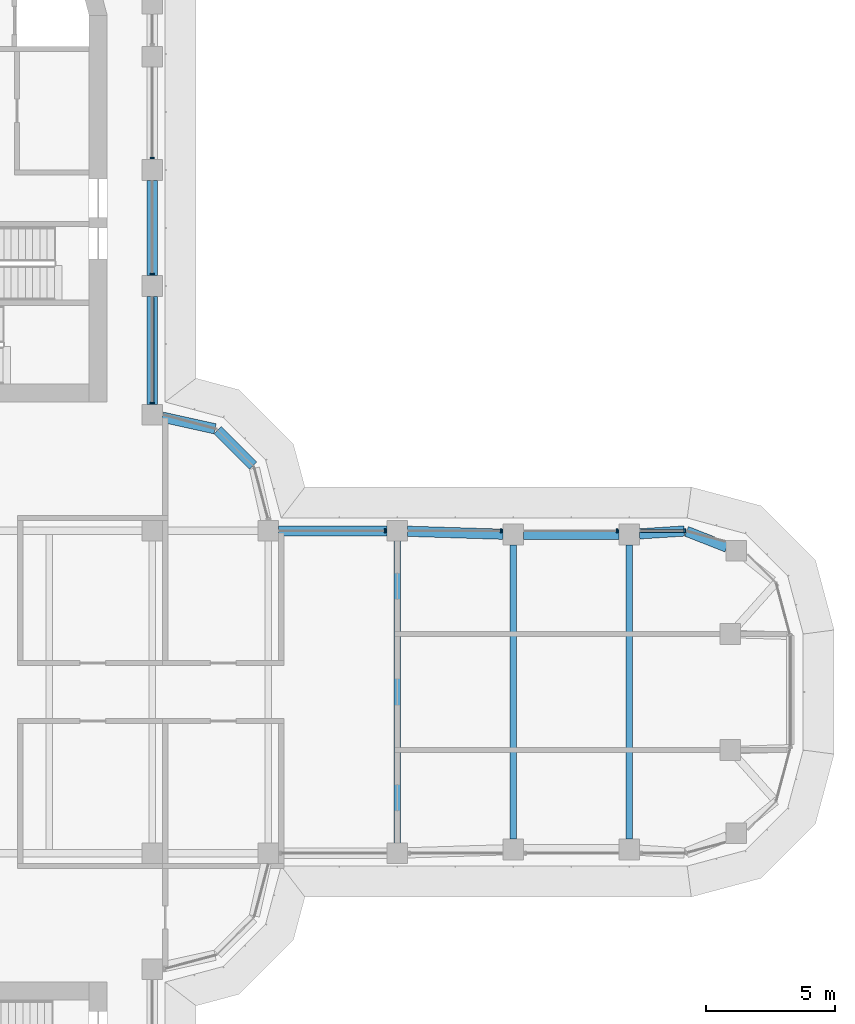
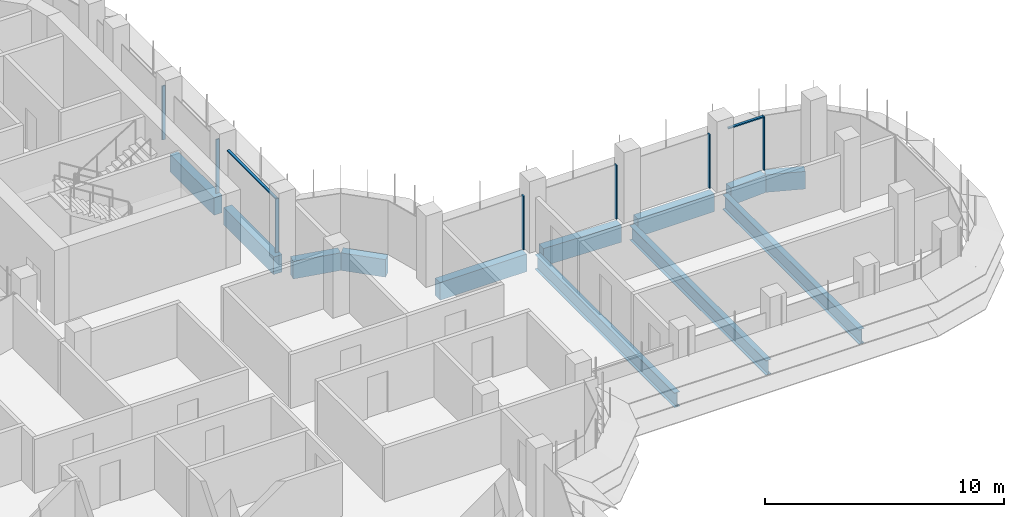
# One storey, part 8 of 19: 12 beams, 9 members, 2 elements without a shape of their own.
"""IFC4 building model written with IfcOpenShell, lengths in metres."""

from ifc_helpers import new_model, si_unit, direction, frame, origin, origin_2d, place, context, subcontext, project, spatial, polyline, rectangle, i_section, outline, extrude, source, transform, mapped, material, material_profile, profile_set, type_object, element, aggregate, save


model = new_model("IFC4")

# Units and contexts
model_context = context("Model", 3, precision=1e-05, world=origin(), true_north=direction((0.0, 1.0)))
body_context = subcontext(model_context, "Body", "Model", "MODEL_VIEW")
ifc_project = project(units=[si_unit("LENGTHUNIT", "METRE"), si_unit("AREAUNIT", "SQUARE_METRE"), si_unit("VOLUMEUNIT", "CUBIC_METRE"), si_unit("PLANEANGLEUNIT", "RADIAN"), si_unit("MASSUNIT", "GRAM", prefix="KILO")], contexts=[model_context])

# Site, building, storey
site_placement = place(None, origin())
site = spatial("IfcSite", under=ifc_project, at=site_placement, CompositionType="ELEMENT")
building_placement = place(site_placement, origin())
building = spatial("IfcBuilding", under=site, at=building_placement, Name="Zarbagh Exchange Tower", CompositionType="ELEMENT")
storey_placement = place(building_placement, frame((0.0, 0.0, 171.39990234375)))
storey = spatial("IfcBuildingStorey", under=building, at=storey_placement, Name="L41", CompositionType="ELEMENT", Elevation=171.39990234375)

# Beams
ifc_material_1 = material(Name="Steel ASTM A992 Gr 50", Category="steel")
ifc_material_profile_1 = material_profile(ifc_material_1, i_section(OverallWidth=0.26416015625, OverallDepth=0.749267578125, WebThickness=0.011962890625, FlangeThickness=0.015380859375, at=origin_2d()), Name="W30X90")
ifc_profile_set_1 = profile_set([ifc_material_profile_1], Name="Steel ASTM A992 Gr 50")
beam_type_1 = type_object("IfcBeamType", Name="Floor beam W30X90", PredefinedType="BEAM", material=ifc_profile_set_1)
beam_1_placement = place(storey_placement, frame((15.75, -5.85009765625, -0.5244140625), z_axis=(0.0, 1.0, 0.0), x_axis=(-1.0, 0.0, 0.0)))
element("IfcBeam", 1, at=beam_1_placement, inside=storey, type_object=beam_type_1, Name="Steel floor beam", PredefinedType="BEAM", context=body_context, shape_type="SweptSolid", body=[
    extrude(i_section(OverallWidth=0.26416015625, OverallDepth=0.749267578125, WebThickness=0.011962890625, FlangeThickness=0.015380859375, at=origin_2d()), origin(), (0.0, 0.0, 1.0), 11.7001953125),
])
for number, where, z_axis, x_axis, name in (
    (2, (20.25, -5.7099609375, -0.5244140625), (0.0, 1.0, 0.0), (-1.0, 0.0, 0.0), "Steel floor beam"),
    (3, (24.75, -5.7099609375, -0.5244140625), (0.0, 1.0, 0.0), (-1.0, 0.0, 0.0), "Steel floor beam"),
):
    element("IfcBeam", number, at=place(storey_placement, frame(where, z_axis=z_axis, x_axis=x_axis)), inside=storey, type_object=beam_type_1, Name=name, PredefinedType="BEAM", context=body_context, shape_type="SweptSolid", body=[
        extrude(i_section(OverallWidth=0.26416015625, OverallDepth=0.749267578125, WebThickness=0.011962890625, FlangeThickness=0.015380859375, at=origin_2d()), origin(), (0.0, 0.0, 1.0), 11.419921875),
    ])
ifc_material_2 = material(Name="Concrete C50/60", Category="concrete")
ifc_material_profile_2 = material_profile(ifc_material_2, rectangle(XDim=0.39990234375, YDim=0.89990234375, at=origin_2d()), Name="RC spandrel beam 400 x 900 C50/60")
ifc_profile_set_2 = profile_set([ifc_material_profile_2], Name="Concrete C50/60")
beam_type_2 = type_object("IfcBeamType", Name="RC spandrel beam 400 x 900 C50/60", PredefinedType="SPANDREL", material=ifc_profile_set_2)
beam_2_placement = place(storey_placement, frame((6.25, 19.85009765625, -0.599853515625), z_axis=(0.0, -1.0, 0.0), x_axis=(1.0, 0.0, 0.0)))
element("IfcBeam", 4, at=beam_2_placement, inside=storey, type_object=beam_type_2, Name="RC spandrel beam", PredefinedType="SPANDREL", context=body_context, shape_type="SweptSolid", body=[
    extrude(rectangle(XDim=0.39990234375, YDim=0.89990234375, at=origin_2d()), origin(), (0.0, 0.0, 1.0), 3.7001953125),
])
beam_3_placement = place(storey_placement, frame((6.25, 15.35009765625, -0.599853515625), z_axis=(0.0, -1.0, 0.0), x_axis=(1.0, 0.0, 0.0)))
element("IfcBeam", 5, at=beam_3_placement, inside=storey, type_object=beam_type_2, Name="RC spandrel beam", PredefinedType="SPANDREL", context=body_context, shape_type="SweptSolid", body=[
    extrude(rectangle(XDim=0.39990234375, YDim=0.89990234375, at=origin_2d()), origin(), (0.0, 0.0, 1.0), 4.2001953125),
])
beam_4_placement = place(storey_placement, frame((6.640625, 10.66357421875, -0.599853515625), z_axis=(0.976384278741, -0.216041061437, 0.0), x_axis=(0.216041061437, 0.976384278741, 0.0)))
element("IfcBeam", 6, at=beam_4_placement, inside=storey, type_object=beam_type_2, Name="RC spandrel beam", PredefinedType="SPANDREL", context=body_context, shape_type="SweptSolid", body=[
    extrude(rectangle(XDim=0.39990234375, YDim=0.89990234375, at=origin_2d()), origin(), (0.0, 0.0, 1.0), 2.0927734375),
])
beam_5_placement = place(storey_placement, frame((8.782470703125, 10.15771484375, -0.599853515625), z_axis=(0.707106781187, -0.707106781187, 0.0), x_axis=(0.707106781187, 0.707106781187, 0.0)))
element("IfcBeam", 7, at=beam_5_placement, inside=storey, type_object=beam_type_2, Name="RC spandrel beam", PredefinedType="SPANDREL", context=body_context, shape_type="SweptSolid", body=[
    extrude(rectangle(XDim=0.39990234375, YDim=0.89990234375, at=origin_2d()), origin(), (0.0, 0.0, 1.0), 1.94482421875),
])
beam_6_placement = place(storey_placement, frame((11.14990234375, 6.25, -0.599853515625), z_axis=(1.0, 0.0, 0.0), x_axis=(0.0, 1.0, 0.0)))
element("IfcBeam", 8, at=beam_6_placement, inside=storey, type_object=beam_type_2, Name="RC spandrel beam", PredefinedType="SPANDREL", context=body_context, shape_type="SweptSolid", body=[
    extrude(rectangle(XDim=0.39990234375, YDim=0.89990234375, at=origin_2d()), origin(), (0.0, 0.0, 1.0), 4.2001953125),
])
beam_7_placement = place(storey_placement, frame((16.14990234375, 6.237548828125, -0.599853515625), z_axis=(0.999515416033, -0.031127690444, 0.0), x_axis=(0.031127690444, 0.999515416033, 0.0)))
element("IfcBeam", 9, at=beam_7_placement, inside=storey, type_object=beam_type_2, Name="RC spandrel beam", PredefinedType="SPANDREL", context=body_context, shape_type="SweptSolid", body=[
    extrude(rectangle(XDim=0.39990234375, YDim=0.89990234375, at=origin_2d()), origin(), (0.0, 0.0, 1.0), 3.701904296875),
])
beam_8_placement = place(storey_placement, frame((20.64990234375, 6.110107421875, -0.599853515625), z_axis=(1.0, 0.0, 0.0), x_axis=(0.0, 1.0, 0.0)))
element("IfcBeam", 10, at=beam_8_placement, inside=storey, type_object=beam_type_2, Name="RC spandrel beam", PredefinedType="SPANDREL", context=body_context, shape_type="SweptSolid", body=[
    extrude(rectangle(XDim=0.39990234375, YDim=0.89990234375, at=origin_2d()), origin(), (0.0, 0.0, 1.0), 3.7001953125),
])
beam_9_placement = place(storey_placement, frame((25.149169921875, 6.135498046875, -0.599853515625), z_axis=(0.997942679773, 0.064112462805, 0.0), x_axis=(-0.064112462805, 0.997942679773, 0.0)))
element("IfcBeam", 11, at=beam_9_placement, inside=storey, type_object=beam_type_2, Name="RC spandrel beam", PredefinedType="SPANDREL", context=body_context, shape_type="SweptSolid", body=[
    extrude(rectangle(XDim=0.39990234375, YDim=0.89990234375, at=origin_2d()), origin(), (0.0, 0.0, 1.0), 1.744140625),
])
beam_10_placement = place(storey_placement, frame((26.9755859375, 6.233642578125, -0.599853515625), z_axis=(0.930818758612, -0.36548110569, 0.0), x_axis=(0.36548110569, 0.930818758612, 0.0)))
element("IfcBeam", 12, at=beam_10_placement, inside=storey, type_object=beam_type_2, Name="RC spandrel beam", PredefinedType="SPANDREL", context=body_context, shape_type="SweptSolid", body=[
    extrude(rectangle(XDim=0.39990234375, YDim=0.89990234375, at=origin_2d()), origin(), (0.0, 0.0, 1.0), 1.676025390625),
])

# Curtain wall, members
ifc_material_3 = material(Name="Anodised aluminium frame and glazing", Category="aluminium")
curtain_wall_type = type_object("IfcCurtainWallType", Name="CWB Ribbon glazing, upper zones", PredefinedType="NOTDEFINED", material=ifc_material_3)
curtain_wall_1_placement = place(storey_placement, origin())
curtain_wall_1 = element("IfcCurtainWall", 13, at=curtain_wall_1_placement, inside=storey, type_object=curtain_wall_type, Name="CWB16 curtain wall", PredefinedType="NOTDEFINED")
ifc_material_4 = material(Name="Anodised aluminium frame", Category="aluminium")
member_type_1 = type_object("IfcMemberType", Name="TRB Transom, anodised aluminium frame", PredefinedType="USERDEFINED", material=ifc_material_4)
shared_shape_1 = source(origin(), body_context, "Body", "SweptSolid", [
    extrude(outline(polyline([(-0.06005859375, -0.06005859375), (0.0, -0.06005859375), (0.0, 0.06005859375), (-0.06005859375, 0.06005859375), (-0.06005859375, -0.06005859375)])), origin(), (0.0, 0.0, 1.0), 1.68408203125),
])
placement = place(storey_placement, origin())
member_1 = element("IfcMember", 14, at=placement, type_object=member_type_1, Name="CWB16 transom 1.1", ObjectType="TRANSOM", PredefinedType="USERDEFINED", context=body_context, shape_type="MappedRepresentation", body=[
    mapped(shared_shape_1, transform((26.874267578125, 6.25, 2.75), x_axis=(0.0, 0.0, 1.0), y_axis=(0.0, 1.0, 0.0), z_axis=(-1.0, 0.0, 0.0))),
])
member_type_2 = type_object("IfcMemberType", Name="MUB Mullion, anodised aluminium frame", PredefinedType="MULLION", material=ifc_material_4)
shared_shape_2 = source(origin(), body_context, "Body", "SweptSolid", [
    extrude(outline(polyline([(0.0, -0.080078125), (0.06005859375, -0.080078125), (0.06005859375, 0.080078125), (0.0, 0.080078125), (0.0, -0.080078125)])), origin(), (0.0, 0.0, 1.0), 2.75),
])
member_2 = element("IfcMember", 15, at=placement, type_object=member_type_2, Name="CWB16 mullion 1.1", PredefinedType="MULLION", context=body_context, shape_type="MappedRepresentation", body=[
    mapped(shared_shape_2, transform((26.93408203125, 6.25, 0.0), x_axis=(-1.0, 0.0, 0.0), y_axis=(0.0, -1.0, 0.0), z_axis=(0.0, 0.0, 1.0))),
])
member_3 = element("IfcMember", 16, at=placement, type_object=member_type_2, Name="CWB16 mullion 2.1", PredefinedType="MULLION", context=body_context, shape_type="MappedRepresentation", body=[
    mapped(shared_shape_2, transform((24.31005859375, 6.25, 0.0), x_axis=(-1.0, 0.0, 0.0), y_axis=(0.0, -1.0, 0.0), z_axis=(0.0, 0.0, 1.0))),
])
member_4 = element("IfcMember", 17, at=placement, type_object=member_type_2, Name="CWB16 mullion 3.1", PredefinedType="MULLION", context=body_context, shape_type="MappedRepresentation", body=[
    mapped(shared_shape_2, transform((19.81005859375, 6.25, 0.0), x_axis=(-1.0, 0.0, 0.0), y_axis=(0.0, -1.0, 0.0), z_axis=(0.0, 0.0, 1.0))),
])
member_5 = element("IfcMember", 18, at=placement, type_object=member_type_2, Name="CWB16 mullion 4.1", PredefinedType="MULLION", context=body_context, shape_type="MappedRepresentation", body=[
    mapped(shared_shape_2, transform((15.31005859375, 6.25, 0.0), x_axis=(-1.0, 0.0, 0.0), y_axis=(0.0, -1.0, 0.0), z_axis=(0.0, 0.0, 1.0))),
])
aggregate(curtain_wall_1, [member_2, member_1, member_3, member_4, member_5])

curtain_wall_2_placement = place(storey_placement, origin())
curtain_wall_2 = element("IfcCurtainWall", 19, at=curtain_wall_2_placement, inside=storey, type_object=curtain_wall_type, Name="CWB20 curtain wall", PredefinedType="NOTDEFINED")
member_6 = element("IfcMember", 20, at=placement, type_object=member_type_2, Name="CWB20 mullion 1.1", PredefinedType="MULLION", context=body_context, shape_type="MappedRepresentation", body=[
    mapped(shared_shape_2, transform((6.25, 11.18994140625, 0.0), x_axis=(0.0, 1.0, 0.0), y_axis=(-1.0, 0.0, 0.0), z_axis=(0.0, 0.0, 1.0))),
])
member_7 = element("IfcMember", 21, at=placement, type_object=member_type_2, Name="CWB20 mullion 2.1", PredefinedType="MULLION", context=body_context, shape_type="MappedRepresentation", body=[
    mapped(shared_shape_2, transform((6.25, 16.18994140625, 0.0), x_axis=(0.0, 1.0, 0.0), y_axis=(-1.0, 0.0, 0.0), z_axis=(0.0, 0.0, 1.0))),
])
member_8 = element("IfcMember", 22, at=placement, type_object=member_type_2, Name="CWB20 mullion 3.1", PredefinedType="MULLION", context=body_context, shape_type="MappedRepresentation", body=[
    mapped(shared_shape_2, transform((6.25, 20.68994140625, 0.0), x_axis=(0.0, 1.0, 0.0), y_axis=(-1.0, 0.0, 0.0), z_axis=(0.0, 0.0, 1.0))),
])
shared_shape_3 = source(origin(), body_context, "Body", "SweptSolid", [
    extrude(outline(polyline([(-0.06005859375, -0.06005859375), (0.0, -0.06005859375), (0.0, 0.06005859375), (-0.06005859375, 0.06005859375), (-0.06005859375, -0.06005859375)])), origin(), (0.0, 0.0, 1.0), 4.06005859375),
])
member_9 = element("IfcMember", 23, at=placement, type_object=member_type_1, Name="CWB20 transom 1.1", ObjectType="TRANSOM", PredefinedType="USERDEFINED", context=body_context, shape_type="MappedRepresentation", body=[
    mapped(shared_shape_3, transform((6.25, 11.25, 2.75), x_axis=(0.0, 0.0, 1.0), y_axis=(1.0, 0.0, 0.0), z_axis=(0.0, 1.0, 0.0))),
])
aggregate(curtain_wall_2, [member_6, member_9, member_7, member_8])

save(model, "model.ifc")
